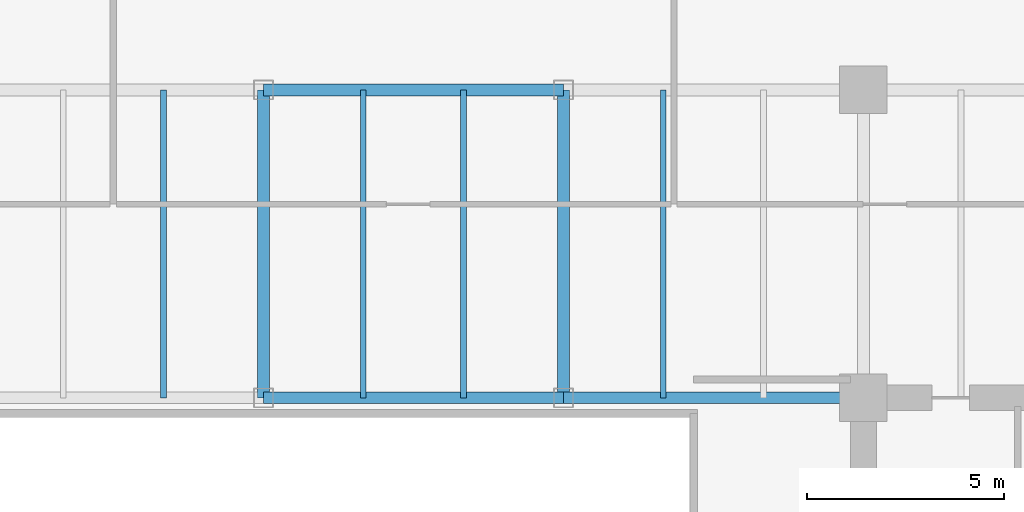
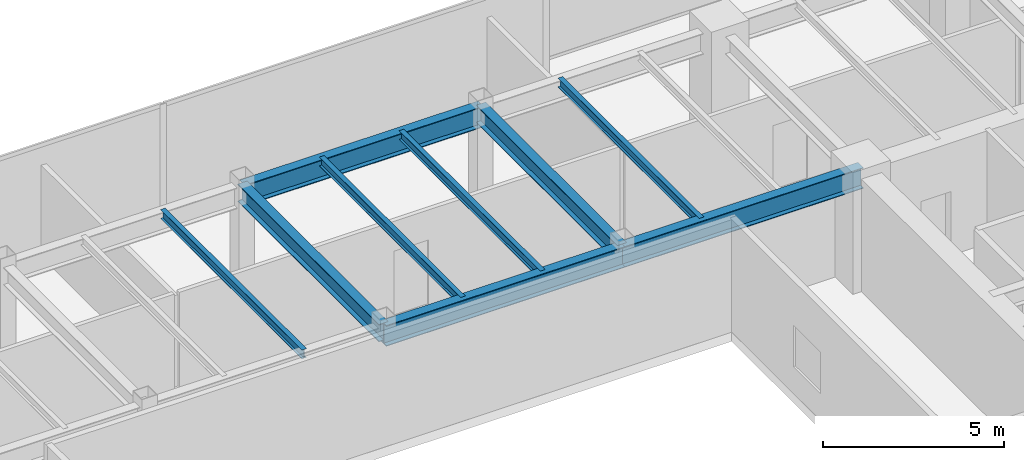
# One storey, part 17 of 31: 9 beams.
"""IFC4 building model written with IfcOpenShell, lengths in metres."""

from ifc_helpers import new_model, si_unit, direction, frame, origin, origin_2d, place, context, subcontext, project, spatial, i_section, extrude, source, transform, mapped, material, material_profile, profile_set, type_object, type_shapes, element, save


model = new_model("IFC4")

# Units and contexts
model_context = context("Model", 3, precision=1e-05, world=origin(), true_north=direction((0.0, 1.0)))
body_context = subcontext(model_context, "Body", "Model", "MODEL_VIEW")
ifc_project = project(units=[si_unit("LENGTHUNIT", "METRE"), si_unit("AREAUNIT", "SQUARE_METRE"), si_unit("VOLUMEUNIT", "CUBIC_METRE"), si_unit("PLANEANGLEUNIT", "RADIAN"), si_unit("MASSUNIT", "GRAM", prefix="KILO")], contexts=[model_context])

# Site, building, storey
site_placement = place(None, origin())
site = spatial("IfcSite", under=ifc_project, at=site_placement, CompositionType="ELEMENT")
building_placement = place(site_placement, origin())
building = spatial("IfcBuilding", under=site, at=building_placement, Name="Haelvirn Gate Laboratories", CompositionType="ELEMENT")
storey_placement = place(building_placement, frame((0.0, 0.0, 150.199951171875)))
storey = spatial("IfcBuildingStorey", under=building, at=storey_placement, Name="L36", CompositionType="ELEMENT", Elevation=150.199951171875)

# Beams
ifc_material = material(Name="Steel SM355", Category="steel")
ifc_material_profile_1 = material_profile(ifc_material, i_section(OverallWidth=0.300048828125, OverallDepth=0.699951171875, WebThickness=0.012939453125, FlangeThickness=0.02392578125, at=origin_2d()), Name="H-700x300x13x24")
ifc_profile_set_1 = profile_set([ifc_material_profile_1], Name="Steel SM355")
beam_type_1 = type_object("IfcBeamType", Name="BM-G-700", PredefinedType="BEAM", material=ifc_profile_set_1)
shared_shape_1 = source(origin(), body_context, "Body", "SweptSolid", [
    extrude(i_section(OverallWidth=0.300048828125, OverallDepth=0.699951171875, WebThickness=0.012939453125, FlangeThickness=0.02392578125, at=origin_2d()), origin(), (0.0, 0.0, 1.0), 7.60009765625),
])
type_shapes(beam_type_1, [shared_shape_1])
for number, where, z_axis, x_axis, name in (
    (1, (37.39990234375, 33.800048828125, 3.43994140625), (1.0, 0.0, 0.0), (0.0, 1.0, 0.0), "L36 Primary Girder Y33.8 (37.4-45.0)"),
    (2, (45.0, 33.800048828125, 3.43994140625), (1.0, 0.0, 0.0), (0.0, 1.0, 0.0), "L36 Primary Girder Y33.8 (45.0-52.6)"),
    (3, (37.39990234375, 41.60009765625, 3.43994140625), (1.0, 0.0, 0.0), (0.0, 1.0, 0.0), "L36 Primary Girder Y41.6 (37.4-45.0)"),
):
    element("IfcBeam", number, at=place(storey_placement, frame(where, z_axis=z_axis, x_axis=x_axis)), inside=storey, type_object=beam_type_1, Name=name, PredefinedType="BEAM", context=body_context, shape_type="MappedRepresentation", body=[
        mapped(shared_shape_1, transform((0.0, 0.0, 0.0), scale=1.0)),
    ])
ifc_material_profile_2 = material_profile(ifc_material, i_section(OverallWidth=0.14990234375, OverallDepth=0.300048828125, WebThickness=0.006591796875, FlangeThickness=0.009033203125, at=origin_2d()), Name="H-300x150x6.5x9")
ifc_profile_set_2 = profile_set([ifc_material_profile_2], Name="Steel SM355")
beam_type_2 = type_object("IfcBeamType", Name="BM-J-300", PredefinedType="JOIST", material=ifc_profile_set_2)
shared_shape_2 = source(origin(), body_context, "Body", "SweptSolid", [
    extrude(i_section(OverallWidth=0.14990234375, OverallDepth=0.300048828125, WebThickness=0.006591796875, FlangeThickness=0.009033203125, at=origin_2d()), origin(), (0.0, 0.0, 1.0), 7.800048828125),
])
type_shapes(beam_type_2, [shared_shape_2])
for number, where, z_axis, x_axis, name in (
    (4, (34.8701171875, 33.800048828125, 3.64013671875), (0.0, 1.0, 0.0), (-1.0, 0.0, 0.0), "L36 Composite Lab Joist North X34.87"),
    (5, (39.929931640625, 33.800048828125, 3.64013671875), (0.0, 1.0, 0.0), (-1.0, 0.0, 0.0), "L36 Composite Lab Joist North X39.93"),
    (6, (42.469970703125, 33.800048828125, 3.64013671875), (0.0, 1.0, 0.0), (-1.0, 0.0, 0.0), "L36 Composite Lab Joist North X42.47"),
    (7, (47.530029296875, 33.800048828125, 3.64013671875), (0.0, 1.0, 0.0), (-1.0, 0.0, 0.0), "L36 Composite Lab Joist North X47.53"),
):
    element("IfcBeam", number, at=place(storey_placement, frame(where, z_axis=z_axis, x_axis=x_axis)), inside=storey, type_object=beam_type_2, Name=name, PredefinedType="JOIST", context=body_context, shape_type="MappedRepresentation", body=[
        mapped(shared_shape_2, transform((0.0, 0.0, 0.0), scale=1.0)),
    ])
ifc_material_profile_3 = material_profile(ifc_material, i_section(OverallWidth=0.300048828125, OverallDepth=0.587890625, WebThickness=0.011962890625, FlangeThickness=0.02001953125, at=origin_2d()), Name="H-588x300x12x20")
ifc_profile_set_3 = profile_set([ifc_material_profile_3], Name="Steel SM355")
beam_type_3 = type_object("IfcBeamType", Name="BM-G-588", PredefinedType="BEAM", material=ifc_profile_set_3)
shared_shape_3 = source(origin(), body_context, "Body", "SweptSolid", [
    extrude(i_section(OverallWidth=0.300048828125, OverallDepth=0.587890625, WebThickness=0.011962890625, FlangeThickness=0.02001953125, at=origin_2d()), origin(), (0.0, 0.0, 1.0), 7.800048828125),
])
type_shapes(beam_type_3, [shared_shape_3])
for number, where, z_axis, x_axis, name in (
    (8, (37.39990234375, 33.800048828125, 3.49609375), (0.0, 1.0, 0.0), (-1.0, 0.0, 0.0), "L36 Frame Girder X37.4 (33.8-41.6)"),
    (9, (45.0, 33.800048828125, 3.49609375), (0.0, 1.0, 0.0), (-1.0, 0.0, 0.0), "L36 Frame Girder X45.0 (33.8-41.6)"),
):
    element("IfcBeam", number, at=place(storey_placement, frame(where, z_axis=z_axis, x_axis=x_axis)), inside=storey, type_object=beam_type_3, Name=name, PredefinedType="BEAM", context=body_context, shape_type="MappedRepresentation", body=[
        mapped(shared_shape_3, transform((0.0, 0.0, 0.0), scale=1.0)),
    ])

save(model, "model.ifc")
